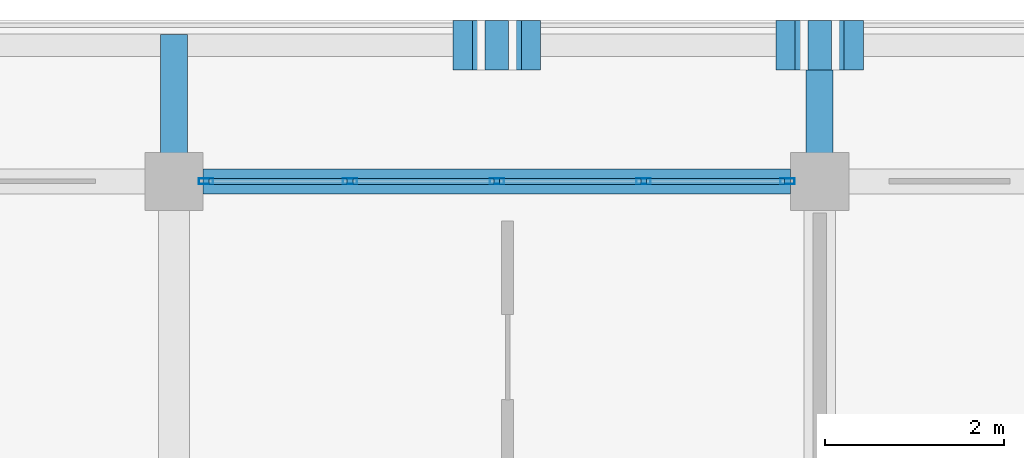
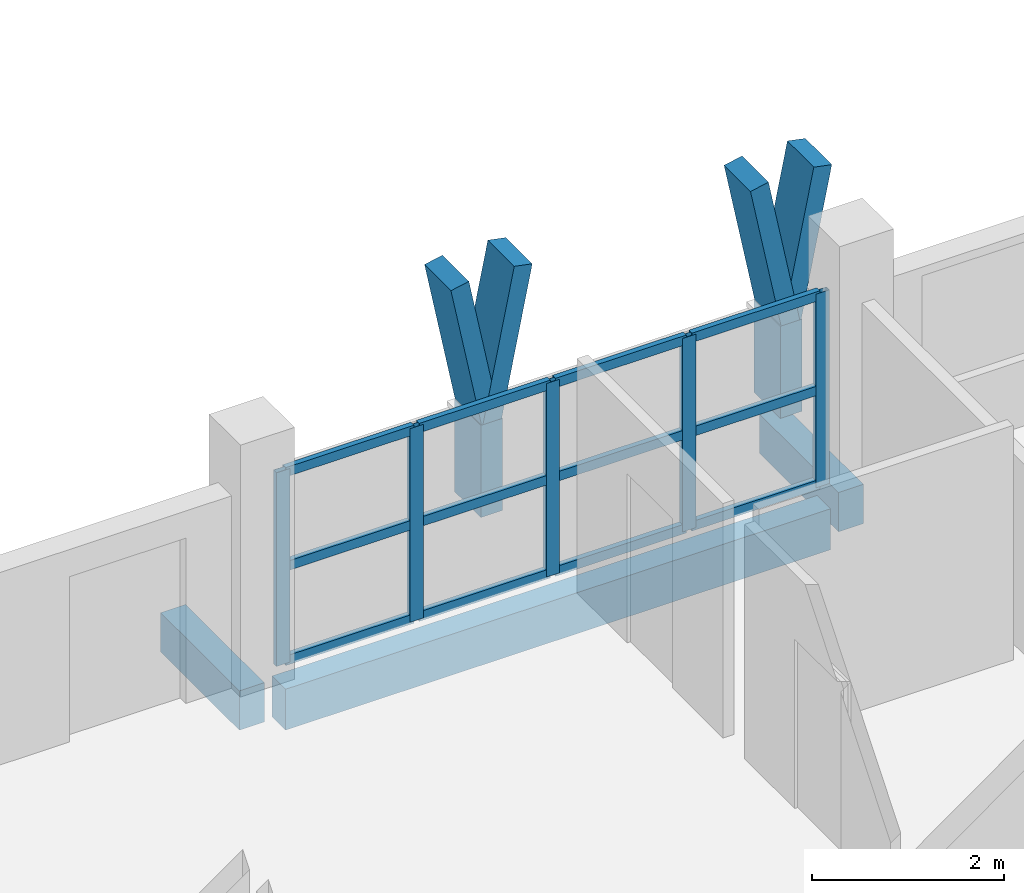
# One storey, part 10 of 76: 23 members, 3 beams, 1 element without a shape of its own.
"""IFC4 building model written with IfcOpenShell, lengths in metres."""

from ifc_helpers import new_model, si_unit, direction, frame, origin, origin_2d, place, context, subcontext, project, spatial, rectangle, hollow_rectangle, extrude, material, material_profile, profile_set, type_object, element, aggregate, save


model = new_model("IFC4")

# Units and contexts
model_context = context("Model", 3, precision=1e-05, world=origin(), true_north=direction((0.0, 1.0)))
body_context = subcontext(model_context, "Body", "Model", "MODEL_VIEW")
ifc_project = project(units=[si_unit("LENGTHUNIT", "METRE"), si_unit("AREAUNIT", "SQUARE_METRE"), si_unit("VOLUMEUNIT", "CUBIC_METRE"), si_unit("PLANEANGLEUNIT", "RADIAN"), si_unit("MASSUNIT", "GRAM", prefix="KILO")], contexts=[model_context])

# Site, building, storey
site_placement = place(None, origin())
site = spatial("IfcSite", under=ifc_project, at=site_placement, CompositionType="ELEMENT")
building_placement = place(site_placement, origin())
building = spatial("IfcBuilding", under=site, at=building_placement, Name="Suanplinth Sawtooth Commons", CompositionType="ELEMENT")
storey_placement = place(building_placement, frame((0.0, 0.0, 12.199951171875)))
storey = spatial("IfcBuildingStorey", under=building, at=storey_placement, Name="L03", CompositionType="ELEMENT", Elevation=12.199951171875)

# Beams
ifc_material_1 = material(Name="Precast concrete C40/50", Category="concrete")
ifc_material_profile_1 = material_profile(ifc_material_1, rectangle(XDim=0.300048828125, YDim=0.5, at=origin_2d()), Name="PC-BM 300x500")
ifc_profile_set_1 = profile_set([ifc_material_profile_1], Name="Precast concrete C40/50")
beam_type_1 = type_object("IfcBeamType", Name="B-07", PredefinedType="BEAM", material=ifc_profile_set_1)
for number, where, z_axis, x_axis, name in (
    (1, (14.39990234375, 122.39990234375, -0.429931640625), (0.0, 1.0, 0.0), (-1.0, 0.0, 0.0), "Balcony Outrigger L03-A-N-2"),
    (2, (21.60009765625, 122.39990234375, -0.429931640625), (0.0, 1.0, 0.0), (-1.0, 0.0, 0.0), "Balcony Outrigger L03-A-N-3"),
):
    element("IfcBeam", number, at=place(storey_placement, frame(where, z_axis=z_axis, x_axis=x_axis)), inside=storey, type_object=beam_type_1, Name=name, PredefinedType="BEAM", context=body_context, shape_type="SweptSolid", body=[
        extrude(rectangle(XDim=0.300048828125, YDim=0.5, at=origin_2d()), origin(), (0.0, 0.0, 1.0), 1.64013671875),
    ])
ifc_material_profile_2 = material_profile(ifc_material_1, rectangle(XDim=0.280029296875, YDim=0.52001953125, at=origin_2d()), Name="PC-SP 280x520")
ifc_profile_set_2 = profile_set([ifc_material_profile_2], Name="Precast concrete C40/50")
beam_type_2 = type_object("IfcBeamType", Name="B-08", PredefinedType="SPANDREL", material=ifc_profile_set_2)
beam_placement = place(storey_placement, frame((14.72509765625, 122.39990234375, -0.5), z_axis=(1.0, 0.0, 0.0), x_axis=(0.0, 1.0, 0.0)))
element("IfcBeam", 3, at=beam_placement, inside=storey, type_object=beam_type_2, Name="BMX-L03-A-2-17", PredefinedType="SPANDREL", context=body_context, shape_type="SweptSolid", body=[
    extrude(rectangle(XDim=0.280029296875, YDim=0.52001953125, at=origin_2d()), origin(), (0.0, 0.0, 1.0), 6.5498046875),
])

# Members
ifc_material_2 = material(Name="Pigmented precast concrete C40/50", Category="concrete")
ifc_material_profile_3 = material_profile(ifc_material_2, rectangle(XDim=0.260009765625, YDim=0.550048828125, at=origin_2d()), Name="PC-FIN 260x550")
ifc_profile_set_3 = profile_set([ifc_material_profile_3], Name="Pigmented precast concrete C40/50")
member_type_1 = type_object("IfcMemberType", Name="M-09", PredefinedType="USERDEFINED", material=ifc_profile_set_3)
for number, where, z_axis, x_axis, name in (
    (4, (18.0, 123.919921875, 0.0), (0.0, 0.0, 1.0), (1.0, 0.0, 0.0), "Y-Blade Stem L03-A-N-02"),
    (5, (21.60009765625, 123.919921875, 0.0), (0.0, 0.0, 1.0), (1.0, 0.0, 0.0), "Y-Blade Stem L03-A-N-03"),
):
    element("IfcMember", number, at=place(storey_placement, frame(where, z_axis=z_axis, x_axis=x_axis)), inside=storey, type_object=member_type_1, Name=name, ObjectType="SHADING FIN", PredefinedType="USERDEFINED", context=body_context, shape_type="SweptSolid", body=[
        extrude(rectangle(XDim=0.260009765625, YDim=0.550048828125, at=origin_2d()), origin(), (0.0, 0.0, 1.0), 1.170166015625),
    ])
ifc_material_profile_4 = material_profile(ifc_material_2, rectangle(XDim=0.219970703125, YDim=0.550048828125, at=origin_2d()), Name="PC-FIN 220x550")
ifc_profile_set_4 = profile_set([ifc_material_profile_4], Name="Pigmented precast concrete C40/50")
member_type_2 = type_object("IfcMemberType", Name="M-10", PredefinedType="USERDEFINED", material=ifc_profile_set_4)
for number, where, z_axis, x_axis, name in (
    (6, (18.0, 123.919921875, 1.130126953125), (-0.196431120402, 0.0, 0.980517626021), (0.980517626021, 0.0, 0.196431120402), "Y-Blade Arm L L03-A-N-02"),
    (7, (18.0, 123.919921875, 1.130126953125), (0.196431120402, 0.0, 0.980517626021), (-0.980517626021, 0.0, 0.196431120402), "Y-Blade Arm R L03-A-N-02"),
    (8, (21.60009765625, 123.919921875, 1.130126953125), (-0.196431120402, 0.0, 0.980517626021), (0.980517626021, 0.0, 0.196431120402), "Y-Blade Arm L L03-A-N-03"),
):
    element("IfcMember", number, at=place(storey_placement, frame(where, z_axis=z_axis, x_axis=x_axis)), inside=storey, type_object=member_type_2, Name=name, ObjectType="SHADING FIN", PredefinedType="USERDEFINED", context=body_context, shape_type="SweptSolid", body=[
        extrude(rectangle(XDim=0.219970703125, YDim=0.550048828125, at=origin_2d()), origin(), (0.0, 0.0, 1.0), 1.937744140625),
    ])
member_1_placement = place(storey_placement, frame((21.60009765625, 123.919921875, 1.130126953125), z_axis=(0.196309979414, 0.0, 0.980541886909), x_axis=(-0.980541886909, 0.0, 0.196309979414)))
element("IfcMember", 9, at=member_1_placement, inside=storey, type_object=member_type_2, Name="Y-Blade Arm R L03-A-N-03", ObjectType="SHADING FIN", PredefinedType="USERDEFINED", context=body_context, shape_type="SweptSolid", body=[
    extrude(rectangle(XDim=0.219970703125, YDim=0.550048828125, at=origin_2d()), origin(), (0.0, 0.0, 1.0), 1.9375),
])

# Curtain wall, members
ifc_material_3 = material(Name="Anodized aluminium and low-E glazing", Category="aluminium")
curtain_wall_type = type_object("IfcCurtainWallType", Name="CW-06", PredefinedType="USERDEFINED", material=ifc_material_3)
curtain_wall_placement = place(storey_placement, origin())
curtain_wall = element("IfcCurtainWall", 10, at=curtain_wall_placement, inside=storey, type_object=curtain_wall_type, Name="Curtain Wall CW-L03-A-LOUNGE-2", ObjectType="CURTAIN WALL", PredefinedType="USERDEFINED")
ifc_material_4 = material(Name="Anodized aluminium 6063-T6", Category="aluminium")
ifc_material_profile_5 = material_profile(ifc_material_4, hollow_rectangle(XDim=0.06494140625, YDim=0.159912109375, WallThickness=0.00390625, at=origin_2d()), Name="ALU-MUL 65x160")
ifc_profile_set_5 = profile_set([ifc_material_profile_5], Name="Anodized aluminium 6063-T6")
member_type_3 = type_object("IfcMemberType", Name="M-13", PredefinedType="MULLION", material=ifc_profile_set_5)
member_2_placement = place(storey_placement, frame((14.757568359375, 122.39990234375, 0.0), z_axis=(0.0, 0.0, 1.0), x_axis=(0.0, 1.0, 0.0)))
member_2 = element("IfcMember", 11, at=member_2_placement, type_object=member_type_3, Name="CW-06 mullion 1", PredefinedType="MULLION", context=body_context, shape_type="SweptSolid", body=[
    extrude(hollow_rectangle(XDim=0.06494140625, YDim=0.159912109375, WallThickness=0.00390625, at=origin_2d()), origin(), (0.0, 0.0, 1.0), 2.4599609375),
])
member_3_placement = place(storey_placement, frame((16.362548828125, 122.39990234375, 0.0), z_axis=(0.0, 0.0, 1.0), x_axis=(0.0, 1.0, 0.0)))
member_3 = element("IfcMember", 12, at=member_3_placement, type_object=member_type_3, Name="CW-06 mullion 2", PredefinedType="MULLION", context=body_context, shape_type="SweptSolid", body=[
    extrude(hollow_rectangle(XDim=0.06494140625, YDim=0.159912109375, WallThickness=0.00390625, at=origin_2d()), origin(), (0.0, 0.0, 1.0), 2.4599609375),
])
member_4_placement = place(storey_placement, frame((18.0, 122.39990234375, 0.0), z_axis=(0.0, 0.0, 1.0), x_axis=(0.0, 1.0, 0.0)))
member_4 = element("IfcMember", 13, at=member_4_placement, type_object=member_type_3, Name="CW-06 mullion 3", PredefinedType="MULLION", context=body_context, shape_type="SweptSolid", body=[
    extrude(hollow_rectangle(XDim=0.06494140625, YDim=0.159912109375, WallThickness=0.00390625, at=origin_2d()), origin(), (0.0, 0.0, 1.0), 2.4599609375),
])
member_5_placement = place(storey_placement, frame((19.637451171875, 122.39990234375, 0.0), z_axis=(0.0, 0.0, 1.0), x_axis=(0.0, 1.0, 0.0)))
member_5 = element("IfcMember", 14, at=member_5_placement, type_object=member_type_3, Name="CW-06 mullion 4", PredefinedType="MULLION", context=body_context, shape_type="SweptSolid", body=[
    extrude(hollow_rectangle(XDim=0.06494140625, YDim=0.159912109375, WallThickness=0.00390625, at=origin_2d()), origin(), (0.0, 0.0, 1.0), 2.4599609375),
])
member_6_placement = place(storey_placement, frame((21.242431640625, 122.39990234375, 0.0), z_axis=(0.0, 0.0, 1.0), x_axis=(0.0, 1.0, 0.0)))
member_6 = element("IfcMember", 15, at=member_6_placement, type_object=member_type_3, Name="CW-06 mullion 5", PredefinedType="MULLION", context=body_context, shape_type="SweptSolid", body=[
    extrude(hollow_rectangle(XDim=0.06494140625, YDim=0.159912109375, WallThickness=0.00390625, at=origin_2d()), origin(), (0.0, 0.0, 1.0), 2.4599609375),
])
ifc_material_profile_6 = material_profile(ifc_material_4, hollow_rectangle(XDim=0.06494140625, YDim=0.1201171875, WallThickness=0.00390625, at=origin_2d()), Name="ALU-TRN 65x120")
ifc_profile_set_6 = profile_set([ifc_material_profile_6], Name="Anodized aluminium 6063-T6")
member_type_4 = type_object("IfcMemberType", Name="M-15", PredefinedType="USERDEFINED", material=ifc_profile_set_6)
member_7_placement = place(storey_placement, frame((14.7900390625, 122.39990234375, 0.032470703125), z_axis=(1.0, 0.0, 0.0), x_axis=(0.0, 1.0, 0.0)))
member_7 = element("IfcMember", 16, at=member_7_placement, type_object=member_type_4, Name="CW-06 transom 1.1", ObjectType="TRANSOM", PredefinedType="USERDEFINED", context=body_context, shape_type="SweptSolid", body=[
    extrude(hollow_rectangle(XDim=0.06494140625, YDim=0.1201171875, WallThickness=0.00390625, at=origin_2d()), origin(), (0.0, 0.0, 1.0), 1.5400390625),
])
member_8_placement = place(storey_placement, frame((14.7900390625, 122.39990234375, 1.22998046875), z_axis=(1.0, 0.0, 0.0), x_axis=(0.0, 1.0, 0.0)))
member_8 = element("IfcMember", 17, at=member_8_placement, type_object=member_type_4, Name="CW-06 transom 1.2", ObjectType="TRANSOM", PredefinedType="USERDEFINED", context=body_context, shape_type="SweptSolid", body=[
    extrude(hollow_rectangle(XDim=0.06494140625, YDim=0.1201171875, WallThickness=0.00390625, at=origin_2d()), origin(), (0.0, 0.0, 1.0), 1.5400390625),
])
member_9_placement = place(storey_placement, frame((14.7900390625, 122.39990234375, 2.427490234375), z_axis=(1.0, 0.0, 0.0), x_axis=(0.0, 1.0, 0.0)))
member_9 = element("IfcMember", 18, at=member_9_placement, type_object=member_type_4, Name="CW-06 transom 1.3", ObjectType="TRANSOM", PredefinedType="USERDEFINED", context=body_context, shape_type="SweptSolid", body=[
    extrude(hollow_rectangle(XDim=0.06494140625, YDim=0.1201171875, WallThickness=0.00390625, at=origin_2d()), origin(), (0.0, 0.0, 1.0), 1.5400390625),
])
member_10_placement = place(storey_placement, frame((16.39501953125, 122.39990234375, 0.032470703125), z_axis=(1.0, 0.0, 0.0), x_axis=(0.0, 1.0, 0.0)))
member_10 = element("IfcMember", 19, at=member_10_placement, type_object=member_type_4, Name="CW-06 transom 2.1", ObjectType="TRANSOM", PredefinedType="USERDEFINED", context=body_context, shape_type="SweptSolid", body=[
    extrude(hollow_rectangle(XDim=0.06494140625, YDim=0.1201171875, WallThickness=0.00390625, at=origin_2d()), origin(), (0.0, 0.0, 1.0), 1.572509765625),
])
member_11_placement = place(storey_placement, frame((16.39501953125, 122.39990234375, 1.22998046875), z_axis=(1.0, 0.0, 0.0), x_axis=(0.0, 1.0, 0.0)))
member_11 = element("IfcMember", 20, at=member_11_placement, type_object=member_type_4, Name="CW-06 transom 2.2", ObjectType="TRANSOM", PredefinedType="USERDEFINED", context=body_context, shape_type="SweptSolid", body=[
    extrude(hollow_rectangle(XDim=0.06494140625, YDim=0.1201171875, WallThickness=0.00390625, at=origin_2d()), origin(), (0.0, 0.0, 1.0), 1.572509765625),
])
member_12_placement = place(storey_placement, frame((16.39501953125, 122.39990234375, 2.427490234375), z_axis=(1.0, 0.0, 0.0), x_axis=(0.0, 1.0, 0.0)))
member_12 = element("IfcMember", 21, at=member_12_placement, type_object=member_type_4, Name="CW-06 transom 2.3", ObjectType="TRANSOM", PredefinedType="USERDEFINED", context=body_context, shape_type="SweptSolid", body=[
    extrude(hollow_rectangle(XDim=0.06494140625, YDim=0.1201171875, WallThickness=0.00390625, at=origin_2d()), origin(), (0.0, 0.0, 1.0), 1.572509765625),
])
member_13_placement = place(storey_placement, frame((18.032470703125, 122.39990234375, 0.032470703125), z_axis=(1.0, 0.0, 0.0), x_axis=(0.0, 1.0, 0.0)))
member_13 = element("IfcMember", 22, at=member_13_placement, type_object=member_type_4, Name="CW-06 transom 3.1", ObjectType="TRANSOM", PredefinedType="USERDEFINED", context=body_context, shape_type="SweptSolid", body=[
    extrude(hollow_rectangle(XDim=0.06494140625, YDim=0.1201171875, WallThickness=0.00390625, at=origin_2d()), origin(), (0.0, 0.0, 1.0), 1.572509765625),
])
member_14_placement = place(storey_placement, frame((18.032470703125, 122.39990234375, 1.22998046875), z_axis=(1.0, 0.0, 0.0), x_axis=(0.0, 1.0, 0.0)))
member_14 = element("IfcMember", 23, at=member_14_placement, type_object=member_type_4, Name="CW-06 transom 3.2", ObjectType="TRANSOM", PredefinedType="USERDEFINED", context=body_context, shape_type="SweptSolid", body=[
    extrude(hollow_rectangle(XDim=0.06494140625, YDim=0.1201171875, WallThickness=0.00390625, at=origin_2d()), origin(), (0.0, 0.0, 1.0), 1.572509765625),
])
member_15_placement = place(storey_placement, frame((18.032470703125, 122.39990234375, 2.427490234375), z_axis=(1.0, 0.0, 0.0), x_axis=(0.0, 1.0, 0.0)))
member_15 = element("IfcMember", 24, at=member_15_placement, type_object=member_type_4, Name="CW-06 transom 3.3", ObjectType="TRANSOM", PredefinedType="USERDEFINED", context=body_context, shape_type="SweptSolid", body=[
    extrude(hollow_rectangle(XDim=0.06494140625, YDim=0.1201171875, WallThickness=0.00390625, at=origin_2d()), origin(), (0.0, 0.0, 1.0), 1.572509765625),
])
member_16_placement = place(storey_placement, frame((19.669921875, 122.39990234375, 0.032470703125), z_axis=(1.0, 0.0, 0.0), x_axis=(0.0, 1.0, 0.0)))
member_16 = element("IfcMember", 25, at=member_16_placement, type_object=member_type_4, Name="CW-06 transom 4.1", ObjectType="TRANSOM", PredefinedType="USERDEFINED", context=body_context, shape_type="SweptSolid", body=[
    extrude(hollow_rectangle(XDim=0.06494140625, YDim=0.1201171875, WallThickness=0.00390625, at=origin_2d()), origin(), (0.0, 0.0, 1.0), 1.5400390625),
])
member_17_placement = place(storey_placement, frame((19.669921875, 122.39990234375, 1.22998046875), z_axis=(1.0, 0.0, 0.0), x_axis=(0.0, 1.0, 0.0)))
member_17 = element("IfcMember", 26, at=member_17_placement, type_object=member_type_4, Name="CW-06 transom 4.2", ObjectType="TRANSOM", PredefinedType="USERDEFINED", context=body_context, shape_type="SweptSolid", body=[
    extrude(hollow_rectangle(XDim=0.06494140625, YDim=0.1201171875, WallThickness=0.00390625, at=origin_2d()), origin(), (0.0, 0.0, 1.0), 1.5400390625),
])
member_18_placement = place(storey_placement, frame((19.669921875, 122.39990234375, 2.427490234375), z_axis=(1.0, 0.0, 0.0), x_axis=(0.0, 1.0, 0.0)))
member_18 = element("IfcMember", 27, at=member_18_placement, type_object=member_type_4, Name="CW-06 transom 4.3", ObjectType="TRANSOM", PredefinedType="USERDEFINED", context=body_context, shape_type="SweptSolid", body=[
    extrude(hollow_rectangle(XDim=0.06494140625, YDim=0.1201171875, WallThickness=0.00390625, at=origin_2d()), origin(), (0.0, 0.0, 1.0), 1.5400390625),
])
aggregate(curtain_wall, [member_2, member_3, member_4, member_5, member_6, member_7, member_8, member_9, member_10, member_11, member_12, member_13, member_14, member_15, member_16, member_17, member_18])

save(model, "model.ifc")
